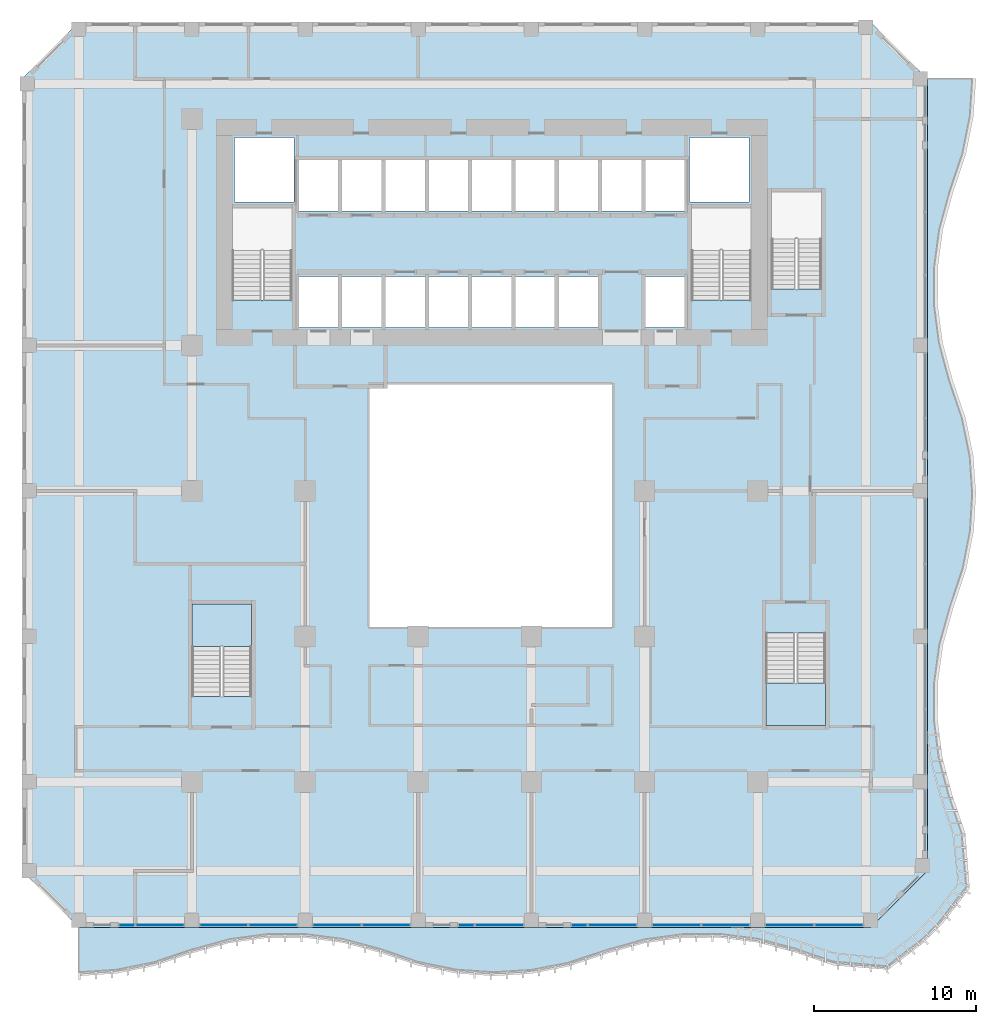
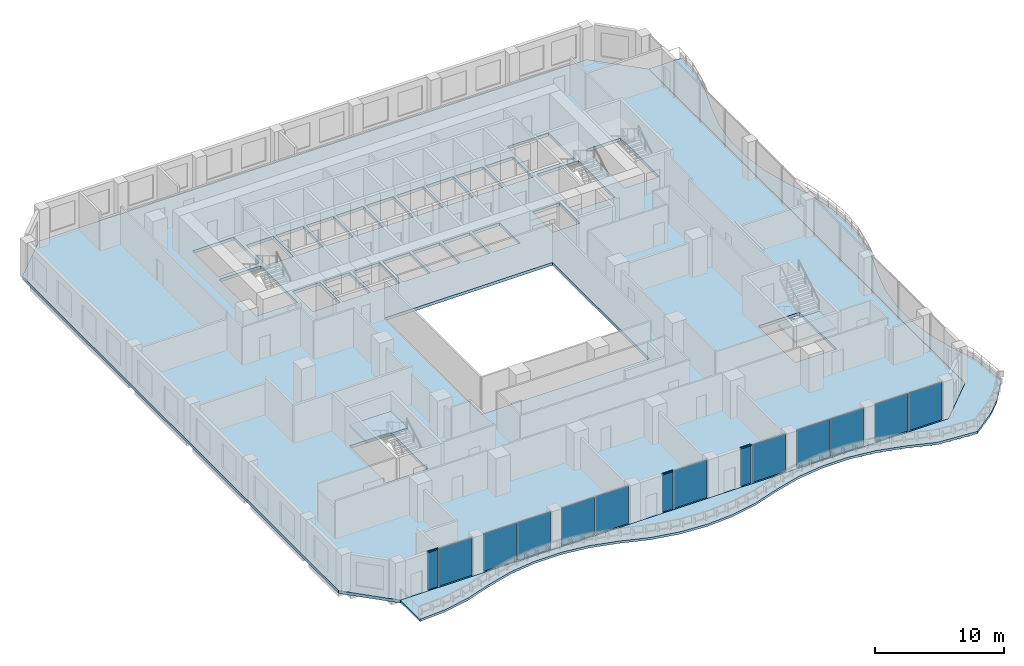
# One storey, part 11 of 23: 14 plates, 4 slabs, 3 members, 16 elements without a shape of their own.
"""IFC4 building model written with IfcOpenShell, lengths in metres."""

import ifcopenshell
import ifcopenshell.guid

model = None  # the IFC model being written
_history = None  # IfcOwnerHistory: only IFC2X3 demands one
_inside = {}  # id of a spatial element -> (the spatial element, [elements in it])
_under = {}  # id of a project, library or spatial element -> (it, [spatial elements below it])
_declared = {}  # id of a project -> (the project, [libraries it declares])
_typed = {}  # id of a type object -> (the type object, [elements of that type])
_made_of = {}  # id of a material, layer set ... -> (it, [elements and type objects made of it])


def new_model(schema):
    """Start an empty IFC model of exactly this schema.

    Asked for "IFC4X3", IfcOpenShell would pick the latest addendum, in which some entities
    have other attributes; the version numbers below select the first issue.
    IFC2X3 requires an IfcOwnerHistory on every rooted entity: one is made here for all.
    """
    global model, _history
    if schema == "IFC4X3":
        model = ifcopenshell.file(schema_version=(4, 3, 0, 0))
    else:
        model = ifcopenshell.file(schema=schema)
    _inside.clear()
    _under.clear()
    _declared.clear()
    _typed.clear()
    _made_of.clear()
    _history = None
    if model.schema == "IFC2X3":
        org = make("IfcOrganization", Name="unknown")
        user = make(
            "IfcPersonAndOrganization",
            ThePerson=make("IfcPerson", FamilyName="unknown"),
            TheOrganization=org,
        )
        app = make(
            "IfcApplication",
            ApplicationDeveloper=org,
            Version="unknown",
            ApplicationFullName="unknown",
            ApplicationIdentifier="unknown",
        )
        _history = make(
            "IfcOwnerHistory",
            OwningUser=user,
            OwningApplication=app,
            ChangeAction="ADDED",
            CreationDate=0,
        )
    return model


def make(cls, **values):
    """One entity of the class cls with the attributes given. An attribute that is None is left unset."""
    return model.create_entity(
        cls, **{name: value for name, value in values.items() if value is not None}
    )


def rooted(cls, **values):
    """An entity with a GlobalId (a new one), such as an element, a storey or a relation."""
    return make(cls, GlobalId=ifcopenshell.guid.new(), OwnerHistory=_history, **values)


def si_unit(unit_type, name, prefix=None):
    """IfcSIUnit, for example si_unit("LENGTHUNIT", "METRE", prefix="MILLI")."""
    return make("IfcSIUnit", UnitType=unit_type, Prefix=prefix, Name=name)


def assignment(units):
    """IfcUnitAssignment: the units of a project."""
    return None if units is None else make("IfcUnitAssignment", Units=units)


def point(xyz):
    """IfcCartesianPoint."""
    return None if xyz is None else make("IfcCartesianPoint", Coordinates=xyz)


def direction(xyz):
    """IfcDirection."""
    return None if xyz is None else make("IfcDirection", DirectionRatios=xyz)


def frame(location, z_axis=None, x_axis=None):
    """IfcAxis2Placement3D, a coordinate frame: its origin and axes. An axis left out is left unset."""
    return make(
        "IfcAxis2Placement3D",
        Location=point(location),
        Axis=direction(z_axis),
        RefDirection=direction(x_axis),
    )


def frame_2d(location, x_axis=None):
    """IfcAxis2Placement2D, a coordinate frame in the plane: its origin and x axis."""
    return make(
        "IfcAxis2Placement2D", Location=point(location), RefDirection=direction(x_axis)
    )


def origin():
    """The frame at (0, 0, 0) with its axes left unset."""
    return frame((0.0, 0.0, 0.0))


def origin_2d():
    """The frame at (0, 0) in the plane with its x axis left unset."""
    return frame_2d((0.0, 0.0))


def place(relative_to, where):
    """IfcLocalPlacement: puts the frame where relative to a parent placement (None: the world)."""
    return make(
        "IfcLocalPlacement", PlacementRelTo=relative_to, RelativePlacement=where
    )


def context(
    kind, dimensions, precision=None, world=None, true_north=None, identifier=None
):
    """IfcGeometricRepresentationContext, for example the 3D "Model" context."""
    return make(
        "IfcGeometricRepresentationContext",
        ContextIdentifier=identifier,
        ContextType=kind,
        CoordinateSpaceDimension=dimensions,
        Precision=precision,
        WorldCoordinateSystem=world,
        TrueNorth=true_north,
    )


def subcontext(parent, identifier, kind, view, scale=None):
    """IfcGeometricRepresentationSubContext, for example "Body" below "Model"."""
    return make(
        "IfcGeometricRepresentationSubContext",
        ContextIdentifier=identifier,
        ContextType=kind,
        ParentContext=parent,
        TargetScale=scale,
        TargetView=view,
    )


def project(units=None, contexts=None):
    """IfcProject with its units and contexts."""
    return rooted(
        "IfcProject",
        Name="project",
        RepresentationContexts=contexts,
        UnitsInContext=assignment(units),
    )


def spatial(cls, under=None, at=None, **own):
    """A site, building, storey or space (cls), placed at a placement, below another one or the project."""
    s = rooted(cls, ObjectPlacement=at, **own)
    if under is not None:
        _under.setdefault(under.id(), (under, []))[1].append(s)
    return s


def polyline(points):
    """IfcPolyline through the points."""
    return make("IfcPolyline", Points=[point(p) for p in points])


def profile(cls, at=None, kind="AREA", **sizes):
    """A parametric profile (cls). Its sizes go by their IFC names, for example OverallWidth=200.0."""
    return make(cls, ProfileType=kind, Position=at, **sizes)


def rectangle(**sizes):
    """IfcRectangleProfileDef."""
    return profile("IfcRectangleProfileDef", **sizes)


def outline(outer, holes=None, kind="AREA"):
    """IfcArbitraryClosedProfileDef: a profile drawn as a closed curve; with holes, ...WithVoids."""
    if holes is None:
        return make("IfcArbitraryClosedProfileDef", ProfileType=kind, OuterCurve=outer)
    return make(
        "IfcArbitraryProfileDefWithVoids",
        ProfileType=kind,
        OuterCurve=outer,
        InnerCurves=holes,
    )


def extrude(swept, where, along, depth):
    """IfcExtrudedAreaSolid: the profile swept, set in the frame where, extruded along a direction by depth."""
    return make(
        "IfcExtrudedAreaSolid",
        SweptArea=swept,
        Position=where,
        ExtrudedDirection=direction(along),
        Depth=depth,
    )


def shape(context_of_items, identifier, shape_type, items):
    """IfcShapeRepresentation: the items that make up one representation, for example the "Body"."""
    return make(
        "IfcShapeRepresentation",
        ContextOfItems=context_of_items,
        RepresentationIdentifier=identifier,
        RepresentationType=shape_type,
        Items=items,
    )


def source(mapping_origin, context_of_items, identifier, shape_type, items):
    """IfcRepresentationMap: a shape defined once, which mapped items show again and again."""
    return make(
        "IfcRepresentationMap",
        MappingOrigin=mapping_origin,
        MappedRepresentation=shape(context_of_items, identifier, shape_type, items),
    )


def transform(
    local_origin,
    x_axis=None,
    y_axis=None,
    z_axis=None,
    scale=None,
    scale2=None,
    scale3=None,
    uniform=True,
):
    """IfcCartesianTransformationOperator3D, or its non-uniform kind. x_axis, y_axis, z_axis: its Axis1, 2, 3."""
    if uniform:
        return make(
            "IfcCartesianTransformationOperator3D",
            Axis1=direction(x_axis),
            Axis2=direction(y_axis),
            LocalOrigin=point(local_origin),
            Scale=scale,
            Axis3=direction(z_axis),
        )
    return make(
        "IfcCartesianTransformationOperator3DnonUniform",
        Axis1=direction(x_axis),
        Axis2=direction(y_axis),
        LocalOrigin=point(local_origin),
        Scale=scale,
        Axis3=direction(z_axis),
        Scale2=scale2,
        Scale3=scale3,
    )


def mapped(mapping_source, mapping_target):
    """IfcMappedItem: shows the shape of a source again, moved by a transform."""
    return make(
        "IfcMappedItem", MappingSource=mapping_source, MappingTarget=mapping_target
    )


def material(Name=None, Category=None):
    """IfcMaterial."""
    return make("IfcMaterial", Name=Name, Category=Category)


def layer(
    of_material, thickness, ventilated=None, Name=None, Category=None, Priority=None
):
    """IfcMaterialLayer: one layer of a wall or slab, of a material (None: an air gap)."""
    return make(
        "IfcMaterialLayer",
        Material=of_material,
        LayerThickness=thickness,
        IsVentilated=ventilated,
        Name=Name,
        Category=Category,
        Priority=Priority,
    )


def layer_set(layers, Name=None):
    """IfcMaterialLayerSet."""
    return make("IfcMaterialLayerSet", MaterialLayers=layers, LayerSetName=Name)


def material_profile(
    of_material, cross_section, Name=None, Category=None, Priority=None
):
    """IfcMaterialProfile: a cross section and its material."""
    return make(
        "IfcMaterialProfile",
        Name=Name,
        Material=of_material,
        Profile=cross_section,
        Priority=Priority,
        Category=Category,
    )


def profile_set(profiles, Name=None, composite=None):
    """IfcMaterialProfileSet."""
    return make(
        "IfcMaterialProfileSet",
        Name=Name,
        MaterialProfiles=profiles,
        CompositeProfile=composite,
    )


def made_of(thing, what):
    """Note that an element or type object is made of a material, layer set ...; save() writes the relation."""
    if what is not None:
        _made_of.setdefault(what.id(), (what, []))[1].append(thing)
    return thing


def type_object(cls, material=None, **own):
    """A type object (cls), such as IfcWallType, which elements share."""
    return made_of(rooted(cls, **own), material)


def element(
    cls,
    number,
    at=None,
    inside=None,
    cuts=None,
    type_object=None,
    material=None,
    context=None,
    identifier="Body",
    shape_type=None,
    held_by="IfcProductDefinitionShape",
    body=None,
    shapes=None,
    **own,
):
    """One element of the class cls, such as IfcWall. Its Tag is "e" and its number.

    at: its placement. inside: the storey or other place that contains it. cuts: it is an
    opening in that element (IfcRelVoidsElement). A single representation is given by context,
    identifier, shape_type and body (its items); several are given by shapes. held_by: the class
    of the entity that holds the representations. save() writes the other relations.
    """
    e = rooted(cls, Tag="e%d" % number, ObjectPlacement=at, **own)
    if body is not None:
        shapes = [shape(context, identifier, shape_type, body)]
    if shapes is not None:
        e.Representation = make(held_by, Representations=shapes)
    if inside is not None:
        _inside.setdefault(inside.id(), (inside, []))[1].append(e)
    if cuts is not None:
        rooted(
            "IfcRelVoidsElement", RelatingBuildingElement=cuts, RelatedOpeningElement=e
        )
    if type_object is not None:
        _typed.setdefault(type_object.id(), (type_object, []))[1].append(e)
    return made_of(e, material)


def aggregate(whole, parts):
    """IfcRelAggregates: a whole, such as a stair, and the parts it consists of."""
    return rooted("IfcRelAggregates", RelatingObject=whole, RelatedObjects=parts)


def save(model, path):
    """Write the relations noted so far, then the file.

    IfcRelAggregates (storeys below a building ...), IfcRelContainedInSpatialStructure (elements
    in a storey), IfcRelDefinesByType, IfcRelAssociatesMaterial and IfcRelDeclares: one each for
    every whole, place, type object, material and project.
    """
    for whole, parts in _under.values():
        aggregate(whole, parts)
    for where, things in _inside.values():
        rooted(
            "IfcRelContainedInSpatialStructure",
            RelatedElements=things,
            RelatingStructure=where,
        )
    for kind, things in _typed.values():
        rooted("IfcRelDefinesByType", RelatedObjects=things, RelatingType=kind)
    for what, things in _made_of.values():
        rooted("IfcRelAssociatesMaterial", RelatedObjects=things, RelatingMaterial=what)
    for by, libraries in _declared.values():
        rooted("IfcRelDeclares", RelatingContext=by, RelatedDefinitions=libraries)
    model.write(path)


model = new_model("IFC4")

# Units and contexts
model_context = context("Model", 3, precision=1e-05, world=origin(), true_north=direction((0.0, 1.0)))
body_context = subcontext(model_context, "Body", "Model", "MODEL_VIEW")
ifc_project = project(units=[si_unit("LENGTHUNIT", "METRE"), si_unit("AREAUNIT", "SQUARE_METRE"), si_unit("VOLUMEUNIT", "CUBIC_METRE"), si_unit("PLANEANGLEUNIT", "RADIAN"), si_unit("MASSUNIT", "GRAM", prefix="KILO")], contexts=[model_context])

# Site, building, storey
site_placement = place(None, origin())
site = spatial("IfcSite", under=ifc_project, at=site_placement, CompositionType="ELEMENT")
building_placement = place(site_placement, origin())
building = spatial("IfcBuilding", under=site, at=building_placement, Name="Kilnfold Tower and Market Hall", CompositionType="ELEMENT")
storey_placement = place(building_placement, frame((0.0, 0.0, 55.0)))
storey = spatial("IfcBuildingStorey", under=building, at=storey_placement, Name="L12", CompositionType="ELEMENT", Elevation=55.0)

# Curtain wall, member
ifc_material_1 = material(Name="Aluminium and double glazing", Category="aluminium")
curtain_wall_type = type_object("IfcCurtainWallType", Name="CW OF1 VALLEY GLAZING", PredefinedType="NOTDEFINED", material=ifc_material_1)
curtain_wall_1_placement = place(storey_placement, origin())
curtain_wall_1 = element("IfcCurtainWall", 1, at=curtain_wall_1_placement, inside=storey, type_object=curtain_wall_type, Name="Curtain wall CW1 L12 S", PredefinedType="NOTDEFINED")
ifc_material_2 = material(Name="Aluminium", Category="aluminium")
ifc_material_profile = material_profile(ifc_material_2, rectangle(XDim=0.06005859375, YDim=0.139892578125, at=origin_2d()), Name="TRANSOM 60x140")
ifc_profile_set = profile_set([ifc_material_profile], Name="Aluminium")
member_type = type_object("IfcMemberType", Name="TRANSOM 60X140", PredefinedType="USERDEFINED", material=ifc_profile_set)
shared_shape_1 = source(origin(), body_context, "Body", "SweptSolid", [
    extrude(rectangle(XDim=0.06005859375, YDim=0.139892578125, at=origin_2d()), origin(), (0.0, 0.0, 1.0), 0.929931640625),
])
member_1_placement = place(storey_placement, frame((-21.989990234375, -27.85009765625, 3.570068359375), z_axis=(1.0, 0.0, 0.0), x_axis=(0.0, 1.0, 0.0)))
member_1 = element("IfcMember", 2, at=member_1_placement, type_object=member_type, Name="CW1 transom 1.2", ObjectType="TRANSOM", PredefinedType="USERDEFINED", context=body_context, shape_type="MappedRepresentation", body=[
    mapped(shared_shape_1, transform((0.0, 0.0, 0.0))),
])

curtain_wall_2_placement = place(storey_placement, origin())
curtain_wall_2 = element("IfcCurtainWall", 3, at=curtain_wall_2_placement, inside=storey, type_object=curtain_wall_type, Name="Curtain wall CW1 L12 S", PredefinedType="NOTDEFINED")
member_2_placement = place(storey_placement, frame((-0.989990234375, -27.85009765625, 3.570068359375), z_axis=(1.0, 0.0, 0.0), x_axis=(0.0, 1.0, 0.0)))
member_2 = element("IfcMember", 4, at=member_2_placement, type_object=member_type, Name="CW1 transom 1.2", ObjectType="TRANSOM", PredefinedType="USERDEFINED", context=body_context, shape_type="MappedRepresentation", body=[
    mapped(shared_shape_1, transform((0.0, 0.0, 0.0))),
])

curtain_wall_3_placement = place(storey_placement, origin())
curtain_wall_3 = element("IfcCurtainWall", 5, at=curtain_wall_3_placement, inside=storey, type_object=curtain_wall_type, Name="Curtain wall CW1 L12 S", PredefinedType="NOTDEFINED")
member_3_placement = place(storey_placement, frame((6.010009765625, -27.85009765625, 3.570068359375), z_axis=(1.0, 0.0, 0.0), x_axis=(0.0, 1.0, 0.0)))
member_3 = element("IfcMember", 6, at=member_3_placement, type_object=member_type, Name="CW1 transom 1.2", ObjectType="TRANSOM", PredefinedType="USERDEFINED", context=body_context, shape_type="MappedRepresentation", body=[
    mapped(shared_shape_1, transform((0.0, 0.0, 0.0))),
])

# Slabs
ifc_material_3 = material(Name="Concrete C45", Category="concrete")
ifc_layer_1 = layer(ifc_material_3, 0.280029296875)
ifc_layer_set_1 = layer_set([ifc_layer_1], Name="Concrete C45")
slab_type_1 = type_object("IfcSlabType", Name="FLOOR SLAB 280", PredefinedType="FLOOR", material=ifc_layer_set_1)
shared_shape_2 = source(origin(), body_context, "Body", "SweptSolid", [
    extrude(outline(polyline([(-24.5, -28.0), (24.5, -28.0), (28.0, -24.5), (28.0, 24.5), (24.5, 28.0), (-24.5, 28.0), (-28.0, 24.5), (-28.0, -24.5), (-24.5, -28.0)]), holes=[polyline([(-13.800537109375, -13.699462890625), (-17.49951171875, -13.699462890625), (-17.49951171875, -8.00048828125), (-13.800537109375, -8.00048828125), (-13.800537109375, -13.699462890625)]), polyline([(-11.300537109375, 10.800537109375), (-14.99951171875, 10.800537109375), (-14.99951171875, 16.49951171875), (-11.300537109375, 16.49951171875), (-11.300537109375, 10.800537109375)]), polyline([(-11.175048828125, 16.875), (-14.875, 16.875), (-14.875, 20.875), (-11.175048828125, 20.875), (-11.175048828125, 16.875)]), polyline([(-10.885009765625, 9.125), (-10.885009765625, 12.27490234375), (-8.455078125, 12.27490234375), (-8.455078125, 9.125), (-10.885009765625, 9.125)]), polyline([(-10.885009765625, 16.324951171875), (-10.885009765625, 19.47509765625), (-8.455078125, 19.47509765625), (-8.455078125, 16.324951171875), (-10.885009765625, 16.324951171875)]), polyline([(-5.77490234375, 9.125), (-8.205078125, 9.125), (-8.205078125, 12.27490234375), (-5.77490234375, 12.27490234375), (-5.77490234375, 9.125)]), polyline([(-8.205078125, 16.324951171875), (-8.205078125, 19.47509765625), (-5.77490234375, 19.47509765625), (-5.77490234375, 16.324951171875), (-8.205078125, 16.324951171875)]), polyline([(-6.5, -9.39990234375), (-6.5, 5.60009765625), (8.5, 5.60009765625), (8.5, -9.39990234375), (-6.5, -9.39990234375)]), polyline([(-5.52490234375, 9.125), (-5.52490234375, 12.27490234375), (-3.094970703125, 12.27490234375), (-3.094970703125, 9.125), (-5.52490234375, 9.125)]), polyline([(-3.094970703125, 16.324951171875), (-5.52490234375, 16.324951171875), (-5.52490234375, 19.47509765625), (-3.094970703125, 19.47509765625), (-3.094970703125, 16.324951171875)]), polyline([(-2.844970703125, 9.125), (-2.844970703125, 12.27490234375), (-0.4150390625, 12.27490234375), (-0.4150390625, 9.125), (-2.844970703125, 9.125)]), polyline([(-2.844970703125, 16.324951171875), (-2.844970703125, 19.47509765625), (-0.4150390625, 19.47509765625), (-0.4150390625, 16.324951171875), (-2.844970703125, 16.324951171875)]), polyline([(-0.1650390625, 9.125), (-0.1650390625, 12.27490234375), (2.264892578125, 12.27490234375), (2.264892578125, 9.125), (-0.1650390625, 9.125)]), polyline([(-0.1650390625, 16.324951171875), (-0.1650390625, 19.47509765625), (2.264892578125, 19.47509765625), (2.264892578125, 16.324951171875), (-0.1650390625, 16.324951171875)]), polyline([(4.945068359375, 9.125), (2.514892578125, 9.125), (2.514892578125, 12.27490234375), (4.945068359375, 12.27490234375), (4.945068359375, 9.125)]), polyline([(2.514892578125, 16.324951171875), (2.514892578125, 19.47509765625), (4.945068359375, 19.47509765625), (4.945068359375, 16.324951171875), (2.514892578125, 16.324951171875)]), polyline([(5.195068359375, 9.125), (5.195068359375, 12.27490234375), (7.625, 12.27490234375), (7.625, 9.125), (5.195068359375, 9.125)]), polyline([(5.195068359375, 16.324951171875), (5.195068359375, 19.47509765625), (7.625, 19.47509765625), (7.625, 16.324951171875), (5.195068359375, 16.324951171875)]), polyline([(7.875, 16.324951171875), (7.875, 19.47509765625), (10.304931640625, 19.47509765625), (10.304931640625, 16.324951171875), (7.875, 16.324951171875)]), polyline([(10.554931640625, 9.125), (10.554931640625, 12.27490234375), (12.985107421875, 12.27490234375), (12.985107421875, 9.125), (10.554931640625, 9.125)]), polyline([(10.554931640625, 16.324951171875), (10.554931640625, 19.47509765625), (12.985107421875, 19.47509765625), (12.985107421875, 16.324951171875), (10.554931640625, 16.324951171875)]), polyline([(13.27490234375, 16.875), (13.27490234375, 20.875), (16.97509765625, 20.875), (16.97509765625, 16.875), (13.27490234375, 16.875)]), polyline([(17.099609375, 10.800537109375), (13.400390625, 10.800537109375), (13.400390625, 16.49951171875), (17.099609375, 16.49951171875), (17.099609375, 10.800537109375)]), polyline([(21.699462890625, -9.800537109375), (21.699462890625, -15.49951171875), (18.00048828125, -15.49951171875), (18.00048828125, -9.800537109375), (21.699462890625, -9.800537109375)]), polyline([(18.3505859375, 11.50048828125), (18.3505859375, 17.49951171875), (21.449462890625, 17.49951171875), (21.449462890625, 11.50048828125), (18.3505859375, 11.50048828125)])]), origin(), (0.0, 0.0, 1.0), 0.280029296875),
])
slab_1_placement = place(storey_placement, frame((0.0, 0.0, -0.280029296875)))
element("IfcSlab", 7, at=slab_1_placement, inside=storey, type_object=slab_type_1, Name="Floor slab L12", PredefinedType="FLOOR", context=body_context, shape_type="MappedRepresentation", body=[
    mapped(shared_shape_2, transform((0.0, 0.0, 0.0))),
])
ifc_material_4 = material(Name="Concrete C40/50", Category="concrete")
ifc_layer_2 = layer(ifc_material_4, 0.219970703125)
ifc_layer_set_2 = layer_set([ifc_layer_2], Name="Concrete C40/50")
slab_type_2 = type_object("IfcSlabType", Name="BALCONY SLAB 220", PredefinedType="FLOOR", material=ifc_layer_set_2)
shared_shape_3 = source(origin(), body_context, "Body", "SweptSolid", [
    extrude(outline(polyline([(-24.5, -28.0), (24.5, -28.0), (28.0, -24.5), (28.0, 24.5), (31.0, 24.5), (30.8466796875, 22.166748046875), (30.379150390625, 19.833251953125), (29.59228515625, 17.5), (28.95361328125, 15.166748046875), (28.640380859375, 12.833251953125), (28.635986328125, 10.5), (28.939453125, 8.166748046875), (29.56787109375, 5.833251953125), (30.35986328125, 3.5), (30.83740234375, 1.166748046875), (31.0, -1.166748046875), (30.85595703125, -3.5), (30.398193359375, -5.833251953125), (29.6171875, -8.166748046875), (28.968017578125, -10.5), (28.6455078125, -12.833251953125), (28.631591796875, -15.166748046875), (28.925537109375, -17.5), (29.543701171875, -19.833251953125), (30.340087890625, -22.166748046875), (30.6123046875, -25.58203125), (28.941162109375, -27.7744140625), (27.7744140625, -28.941162109375), (25.58203125, -30.6123046875), (22.166748046875, -30.340087890625), (19.833251953125, -29.543701171875), (17.5, -28.925537109375), (15.166748046875, -28.631591796875), (12.833251953125, -28.6455078125), (10.5, -28.968017578125), (8.166748046875, -29.6171875), (5.833251953125, -30.398193359375), (3.5, -30.85595703125), (1.166748046875, -31.0), (-1.166748046875, -30.83740234375), (-3.5, -30.35986328125), (-5.833251953125, -29.56787109375), (-8.166748046875, -28.939453125), (-10.5, -28.635986328125), (-12.833251953125, -28.640380859375), (-15.166748046875, -28.95361328125), (-17.5, -29.59228515625), (-19.833251953125, -30.379150390625), (-22.166748046875, -30.8466796875), (-24.5, -31.0), (-24.5, -28.0)])), origin(), (0.0, 0.0, 1.0), 0.219970703125),
])
slab_2_placement = place(storey_placement, frame((0.0, 0.0, -0.219970703125)))
element("IfcSlab", 8, at=slab_2_placement, inside=storey, type_object=slab_type_2, Name="Balcony slab L12", PredefinedType="FLOOR", context=body_context, shape_type="MappedRepresentation", body=[
    mapped(shared_shape_3, transform((0.0, 0.0, 0.0))),
])

# Plate
ifc_material_5 = material(Name="Double glazed unit")
ifc_layer_3 = layer(ifc_material_5, 0.031982421875)
ifc_layer_set_3 = layer_set([ifc_layer_3], Name="Double glazed unit")
plate_type = type_object("IfcPlateType", Name="GLAZING PANEL 32", PredefinedType="CURTAIN_PANEL", material=ifc_layer_set_3)
shared_shape_4 = source(origin(), body_context, "Body", "SweptSolid", [
    extrude(rectangle(XDim=0.929931640625, YDim=0.031982421875, at=origin_2d()), origin(), (0.0, 0.0, 1.0), 3.5400390625),
])
plate_1_placement = place(storey_placement, frame((-21.52490234375, -27.85009765625, 0.0), z_axis=(0.0, 0.0, 1.0), x_axis=(1.0, 0.0, 0.0)))
plate_1 = element("IfcPlate", 9, at=plate_1_placement, type_object=plate_type, Name="CW1 panel 1.1", PredefinedType="CURTAIN_PANEL", context=body_context, shape_type="MappedRepresentation", body=[
    mapped(shared_shape_4, transform((0.0, 0.0, 0.0))),
])

aggregate(curtain_wall_1, [member_1, plate_1])

plate_2_placement = place(storey_placement, frame((-0.52490234375, -27.85009765625, 0.0), z_axis=(0.0, 0.0, 1.0), x_axis=(1.0, 0.0, 0.0)))
plate_2 = element("IfcPlate", 10, at=plate_2_placement, type_object=plate_type, Name="CW1 panel 1.1", PredefinedType="CURTAIN_PANEL", context=body_context, shape_type="MappedRepresentation", body=[
    mapped(shared_shape_4, transform((0.0, 0.0, 0.0))),
])

aggregate(curtain_wall_2, [member_2, plate_2])

plate_3_placement = place(storey_placement, frame((6.47509765625, -27.85009765625, 0.0), z_axis=(0.0, 0.0, 1.0), x_axis=(1.0, 0.0, 0.0)))
plate_3 = element("IfcPlate", 11, at=plate_3_placement, type_object=plate_type, Name="CW1 panel 1.1", PredefinedType="CURTAIN_PANEL", context=body_context, shape_type="MappedRepresentation", body=[
    mapped(shared_shape_4, transform((0.0, 0.0, 0.0))),
])

aggregate(curtain_wall_3, [member_3, plate_3])

# Curtain wall, plate
curtain_wall_4_placement = place(storey_placement, origin())
curtain_wall_4 = element("IfcCurtainWall", 12, at=curtain_wall_4_placement, inside=storey, type_object=curtain_wall_type, Name="Curtain wall CW1 L12 S", PredefinedType="NOTDEFINED")
shared_shape_5 = source(origin(), body_context, "Body", "SweptSolid", [
    extrude(rectangle(XDim=2.929931640625, YDim=0.031982421875, at=origin_2d()), origin(), (0.0, 0.0, 1.0), 3.5400390625),
])
plate_4_placement = place(storey_placement, frame((-19.47509765625, -27.85009765625, 0.0), z_axis=(0.0, 0.0, 1.0), x_axis=(1.0, 0.0, 0.0)))
plate_4 = element("IfcPlate", 13, at=plate_4_placement, type_object=plate_type, Name="CW1 panel 1.1", PredefinedType="CURTAIN_PANEL", context=body_context, shape_type="MappedRepresentation", body=[
    mapped(shared_shape_5, transform((0.0, 0.0, 0.0))),
])
aggregate(curtain_wall_4, [plate_4])

curtain_wall_5_placement = place(storey_placement, origin())
curtain_wall_5 = element("IfcCurtainWall", 14, at=curtain_wall_5_placement, inside=storey, type_object=curtain_wall_type, Name="Curtain wall CW1 L12 S", PredefinedType="NOTDEFINED")
plate_5_placement = place(storey_placement, frame((-15.52490234375, -27.85009765625, 0.0), z_axis=(0.0, 0.0, 1.0), x_axis=(1.0, 0.0, 0.0)))
plate_5 = element("IfcPlate", 15, at=plate_5_placement, type_object=plate_type, Name="CW1 panel 1.1", PredefinedType="CURTAIN_PANEL", context=body_context, shape_type="MappedRepresentation", body=[
    mapped(shared_shape_5, transform((0.0, 0.0, 0.0))),
])
aggregate(curtain_wall_5, [plate_5])

curtain_wall_6_placement = place(storey_placement, origin())
curtain_wall_6 = element("IfcCurtainWall", 16, at=curtain_wall_6_placement, inside=storey, type_object=curtain_wall_type, Name="Curtain wall CW1 L12 S", PredefinedType="NOTDEFINED")
plate_6_placement = place(storey_placement, frame((-12.47509765625, -27.85009765625, 0.0), z_axis=(0.0, 0.0, 1.0), x_axis=(1.0, 0.0, 0.0)))
plate_6 = element("IfcPlate", 17, at=plate_6_placement, type_object=plate_type, Name="CW1 panel 1.1", PredefinedType="CURTAIN_PANEL", context=body_context, shape_type="MappedRepresentation", body=[
    mapped(shared_shape_5, transform((0.0, 0.0, 0.0))),
])
aggregate(curtain_wall_6, [plate_6])

curtain_wall_7_placement = place(storey_placement, origin())
curtain_wall_7 = element("IfcCurtainWall", 18, at=curtain_wall_7_placement, inside=storey, type_object=curtain_wall_type, Name="Curtain wall CW1 L12 S", PredefinedType="NOTDEFINED")
plate_7_placement = place(storey_placement, frame((-8.52490234375, -27.85009765625, 0.0), z_axis=(0.0, 0.0, 1.0), x_axis=(1.0, 0.0, 0.0)))
plate_7 = element("IfcPlate", 19, at=plate_7_placement, type_object=plate_type, Name="CW1 panel 1.1", PredefinedType="CURTAIN_PANEL", context=body_context, shape_type="MappedRepresentation", body=[
    mapped(shared_shape_5, transform((0.0, 0.0, 0.0))),
])
aggregate(curtain_wall_7, [plate_7])

curtain_wall_8_placement = place(storey_placement, origin())
curtain_wall_8 = element("IfcCurtainWall", 20, at=curtain_wall_8_placement, inside=storey, type_object=curtain_wall_type, Name="Curtain wall CW1 L12 S", PredefinedType="NOTDEFINED")
plate_8_placement = place(storey_placement, frame((-5.47509765625, -27.85009765625, 0.0), z_axis=(0.0, 0.0, 1.0), x_axis=(1.0, 0.0, 0.0)))
plate_8 = element("IfcPlate", 21, at=plate_8_placement, type_object=plate_type, Name="CW1 panel 1.1", PredefinedType="CURTAIN_PANEL", context=body_context, shape_type="MappedRepresentation", body=[
    mapped(shared_shape_5, transform((0.0, 0.0, 0.0))),
])
aggregate(curtain_wall_8, [plate_8])

curtain_wall_9_placement = place(storey_placement, origin())
curtain_wall_9 = element("IfcCurtainWall", 22, at=curtain_wall_9_placement, inside=storey, type_object=curtain_wall_type, Name="Curtain wall CW1 L12 S", PredefinedType="NOTDEFINED")
plate_9_placement = place(storey_placement, frame((1.52490234375, -27.85009765625, 0.0), z_axis=(0.0, 0.0, 1.0), x_axis=(1.0, 0.0, 0.0)))
plate_9 = element("IfcPlate", 23, at=plate_9_placement, type_object=plate_type, Name="CW1 panel 1.1", PredefinedType="CURTAIN_PANEL", context=body_context, shape_type="MappedRepresentation", body=[
    mapped(shared_shape_5, transform((0.0, 0.0, 0.0))),
])
aggregate(curtain_wall_9, [plate_9])

curtain_wall_10_placement = place(storey_placement, origin())
curtain_wall_10 = element("IfcCurtainWall", 24, at=curtain_wall_10_placement, inside=storey, type_object=curtain_wall_type, Name="Curtain wall CW1 L12 S", PredefinedType="NOTDEFINED")
plate_10_placement = place(storey_placement, frame((8.52490234375, -27.85009765625, 0.0), z_axis=(0.0, 0.0, 1.0), x_axis=(1.0, 0.0, 0.0)))
plate_10 = element("IfcPlate", 25, at=plate_10_placement, type_object=plate_type, Name="CW1 panel 1.1", PredefinedType="CURTAIN_PANEL", context=body_context, shape_type="MappedRepresentation", body=[
    mapped(shared_shape_5, transform((0.0, 0.0, 0.0))),
])
aggregate(curtain_wall_10, [plate_10])

curtain_wall_11_placement = place(storey_placement, origin())
curtain_wall_11 = element("IfcCurtainWall", 26, at=curtain_wall_11_placement, inside=storey, type_object=curtain_wall_type, Name="Curtain wall CW1 L12 S", PredefinedType="NOTDEFINED")
plate_11_placement = place(storey_placement, frame((12.47509765625, -27.85009765625, 0.0), z_axis=(0.0, 0.0, 1.0), x_axis=(1.0, 0.0, 0.0)))
plate_11 = element("IfcPlate", 27, at=plate_11_placement, type_object=plate_type, Name="CW1 panel 1.1", PredefinedType="CURTAIN_PANEL", context=body_context, shape_type="MappedRepresentation", body=[
    mapped(shared_shape_5, transform((0.0, 0.0, 0.0))),
])
aggregate(curtain_wall_11, [plate_11])

curtain_wall_12_placement = place(storey_placement, origin())
curtain_wall_12 = element("IfcCurtainWall", 28, at=curtain_wall_12_placement, inside=storey, type_object=curtain_wall_type, Name="Curtain wall CW1 L12 S", PredefinedType="NOTDEFINED")
plate_12_placement = place(storey_placement, frame((15.52490234375, -27.85009765625, 0.0), z_axis=(0.0, 0.0, 1.0), x_axis=(1.0, 0.0, 0.0)))
plate_12 = element("IfcPlate", 29, at=plate_12_placement, type_object=plate_type, Name="CW1 panel 1.1", PredefinedType="CURTAIN_PANEL", context=body_context, shape_type="MappedRepresentation", body=[
    mapped(shared_shape_5, transform((0.0, 0.0, 0.0))),
])
aggregate(curtain_wall_12, [plate_12])

curtain_wall_13_placement = place(storey_placement, origin())
curtain_wall_13 = element("IfcCurtainWall", 30, at=curtain_wall_13_placement, inside=storey, type_object=curtain_wall_type, Name="Curtain wall CW1 L12 S", PredefinedType="NOTDEFINED")
plate_13_placement = place(storey_placement, frame((19.47509765625, -27.85009765625, 0.0), z_axis=(0.0, 0.0, 1.0), x_axis=(1.0, 0.0, 0.0)))
plate_13 = element("IfcPlate", 31, at=plate_13_placement, type_object=plate_type, Name="CW1 panel 1.1", PredefinedType="CURTAIN_PANEL", context=body_context, shape_type="MappedRepresentation", body=[
    mapped(shared_shape_5, transform((0.0, 0.0, 0.0))),
])
aggregate(curtain_wall_13, [plate_13])

curtain_wall_14_placement = place(storey_placement, origin())
curtain_wall_14 = element("IfcCurtainWall", 32, at=curtain_wall_14_placement, inside=storey, type_object=curtain_wall_type, Name="Curtain wall CW1 L12 S", PredefinedType="NOTDEFINED")
plate_14_placement = place(storey_placement, frame((22.52490234375, -27.85009765625, 0.0), z_axis=(0.0, 0.0, 1.0), x_axis=(1.0, 0.0, 0.0)))
plate_14 = element("IfcPlate", 33, at=plate_14_placement, type_object=plate_type, Name="CW1 panel 1.1", PredefinedType="CURTAIN_PANEL", context=body_context, shape_type="MappedRepresentation", body=[
    mapped(shared_shape_5, transform((0.0, 0.0, 0.0))),
])
aggregate(curtain_wall_14, [plate_14])

# Stair, slab
ifc_material_6 = material(Name="Concrete C40/50", Category="concrete")
stair_type = type_object("IfcStairType", Name="CORE STAIR 1800", PredefinedType="HALF_TURN_STAIR", material=ifc_material_6)
stair_1_placement = place(storey_placement, origin())
stair_1 = element("IfcStair", 34, at=stair_1_placement, inside=storey, type_object=stair_type, Name="L12 ST3", PredefinedType="HALF_TURN_STAIR")
ifc_material_7 = material(Name="Concrete C40/50", Category="concrete")
ifc_layer_4 = layer(ifc_material_7, 0.199951171875)
ifc_layer_set_4 = layer_set([ifc_layer_4], Name="Concrete C40/50")
slab_type_3 = type_object("IfcSlabType", Name="CORE STAIR LANDING 200", PredefinedType="LANDING", material=ifc_layer_set_4)
shared_shape_6 = source(origin(), body_context, "Body", "SweptSolid", [
    extrude(outline(polyline([(-13.800048828125, -10.6201171875), (-13.800048828125, -8.0), (-17.5, -8.0), (-17.5, -10.6201171875), (-13.800048828125, -10.6201171875)])), origin(), (0.0, 0.0, 1.0), 0.199951171875),
])
slab_3_placement = place(storey_placement, frame((0.0, 0.0, 1.800048828125)))
slab_3 = element("IfcSlab", 35, at=slab_3_placement, type_object=slab_type_3, Name="ST3 landing 1", PredefinedType="LANDING", context=body_context, shape_type="MappedRepresentation", body=[
    mapped(shared_shape_6, transform((0.0, 0.0, 0.0))),
])
aggregate(stair_1, [slab_3])

stair_2_placement = place(storey_placement, origin())
stair_2 = element("IfcStair", 36, at=stair_2_placement, inside=storey, type_object=stair_type, Name="L12 ST4", PredefinedType="HALF_TURN_STAIR")
shared_shape_7 = source(origin(), body_context, "Body", "SweptSolid", [
    extrude(outline(polyline([(18.0, -12.8798828125), (18.0, -15.5), (21.699951171875, -15.5), (21.699951171875, -12.8798828125), (18.0, -12.8798828125)])), origin(), (0.0, 0.0, 1.0), 0.199951171875),
])
slab_4_placement = place(storey_placement, frame((0.0, 0.0, 1.800048828125)))
slab_4 = element("IfcSlab", 37, at=slab_4_placement, type_object=slab_type_3, Name="ST4 landing 1", PredefinedType="LANDING", context=body_context, shape_type="MappedRepresentation", body=[
    mapped(shared_shape_7, transform((0.0, 0.0, 0.0))),
])
aggregate(stair_2, [slab_4])

save(model, "model.ifc")
